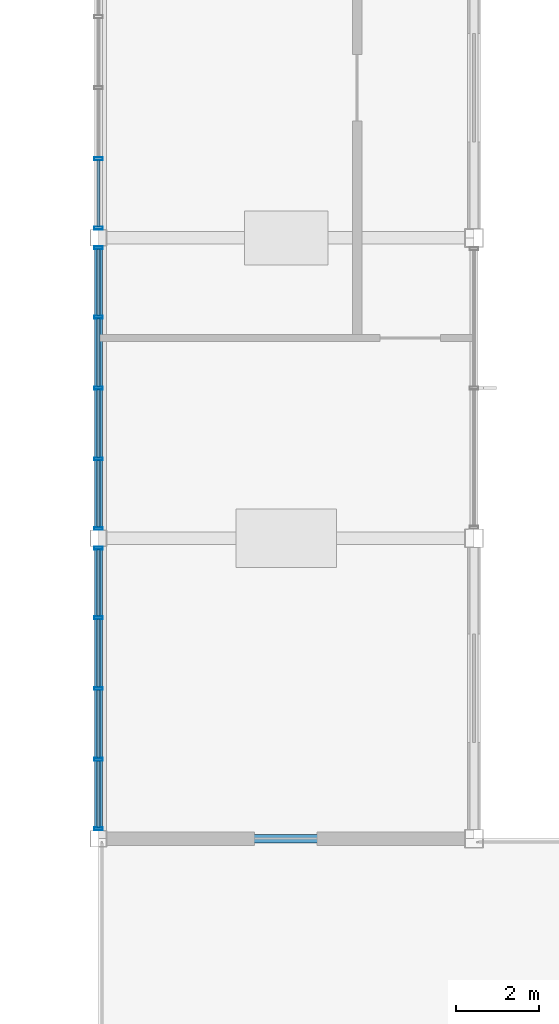
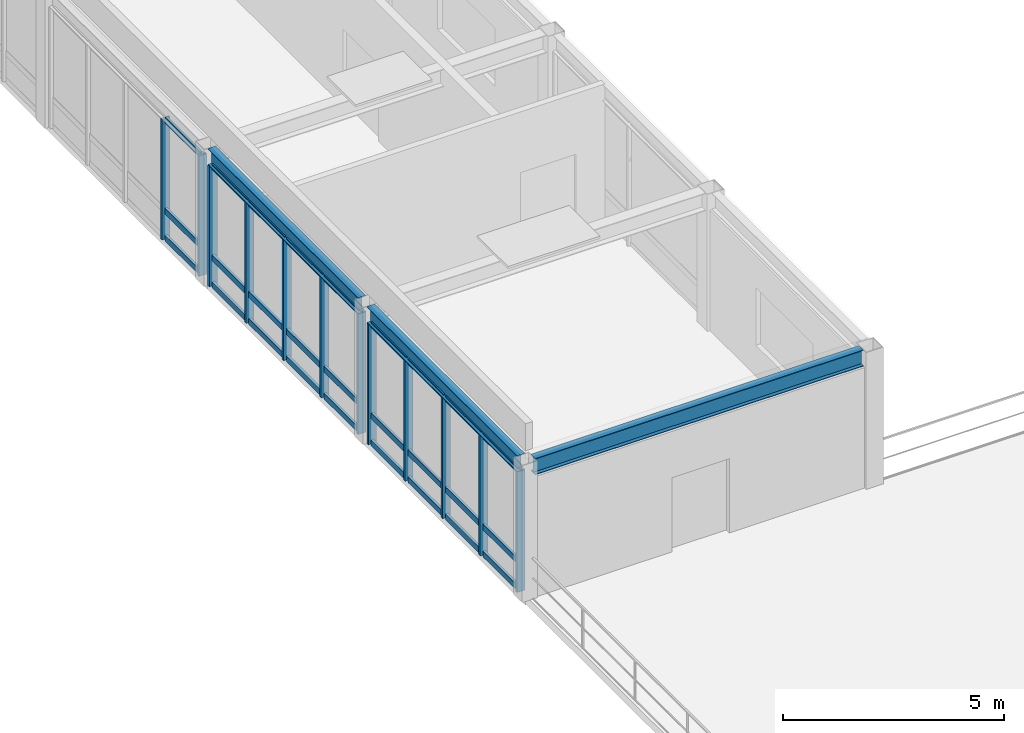
# One storey, part 8 of 106: 39 members, 3 beams, 3 elements without a shape of their own.
"""IFC4 building model written with IfcOpenShell, lengths in metres."""

from ifc_helpers import new_model, si_unit, direction, frame, origin, origin_2d, place, context, subcontext, project, spatial, hollow_rectangle, i_section, extrude, material, material_profile, profile_set, type_object, element, aggregate, save


model = new_model("IFC4")

# Units and contexts
model_context = context("Model", 3, precision=1e-05, world=origin(), true_north=direction((0.0, 1.0)))
body_context = subcontext(model_context, "Body", "Model", "MODEL_VIEW")
ifc_project = project(units=[si_unit("LENGTHUNIT", "METRE"), si_unit("AREAUNIT", "SQUARE_METRE"), si_unit("VOLUMEUNIT", "CUBIC_METRE"), si_unit("PLANEANGLEUNIT", "RADIAN"), si_unit("MASSUNIT", "GRAM", prefix="KILO")], contexts=[model_context])

# Site, building, storey
site_placement = place(None, origin())
site = spatial("IfcSite", under=ifc_project, at=site_placement, CompositionType="ELEMENT")
building_placement = place(site_placement, origin())
building = spatial("IfcBuilding", under=site, at=building_placement, Name="Kazanami Central Library", CompositionType="ELEMENT")
storey_placement = place(building_placement, frame((0.0, 0.0, 12.800048828125)))
storey = spatial("IfcBuildingStorey", under=building, at=storey_placement, Name="L04", CompositionType="ELEMENT", Elevation=12.800048828125)

# Beams
ifc_material_1 = material(Name="Steel SN490B (325 MPa)", Category="steel")
ifc_material_profile_1 = material_profile(ifc_material_1, i_section(OverallWidth=0.199951171875, OverallDepth=0.449951171875, WebThickness=0.009033203125, FlangeThickness=0.013916015625, at=origin_2d()), Name="H-450x200x9x14")
ifc_profile_set_1 = profile_set([ifc_material_profile_1], Name="Steel SN490B (325 MPa)")
beam_type = type_object("IfcBeamType", Name="BM-SP-2", PredefinedType="SPANDREL", material=ifc_profile_set_1)
beam_placement = place(storey_placement, frame((45.197998046875, 36.0, 3.554931640625), z_axis=(1.0, 0.0, 0.0), x_axis=(0.0, 1.0, 0.0)))
element("IfcBeam", 1, at=beam_placement, inside=storey, type_object=beam_type, Name="Girder SP-2 L04 F/6-7", PredefinedType="SPANDREL", context=body_context, shape_type="SweptSolid", body=[
    extrude(i_section(OverallWidth=0.199951171875, OverallDepth=0.449951171875, WebThickness=0.009033203125, FlangeThickness=0.013916015625, at=origin_2d()), origin(), (0.0, 0.0, 1.0), 8.5791015625),
])
for number, where, z_axis, x_axis, name in (
    (2, (45.0, 36.197998046875, 3.554931640625), (0.0, 1.0, 0.0), (-1.0, 0.0, 0.0), "Girder SP-2 L04 6/F-G"),
    (3, (45.0, 43.39794921875, 3.554931640625), (0.0, 1.0, 0.0), (-1.0, 0.0, 0.0), "Girder SP-2 L04 6/G-H"),
):
    element("IfcBeam", number, at=place(storey_placement, frame(where, z_axis=z_axis, x_axis=x_axis)), inside=storey, type_object=beam_type, Name=name, PredefinedType="SPANDREL", context=body_context, shape_type="SweptSolid", body=[
        extrude(i_section(OverallWidth=0.199951171875, OverallDepth=0.449951171875, WebThickness=0.009033203125, FlangeThickness=0.013916015625, at=origin_2d()), origin(), (0.0, 0.0, 1.0), 6.803955078125),
    ])

# Curtain wall, members
ifc_material_2 = material(Name="Acid-Etched Low-E Laminated Glass", Category="glass")
curtain_wall_type = type_object("IfcCurtainWallType", Name="CW-6800x3330-M180", PredefinedType="USERDEFINED", material=ifc_material_2)
curtain_wall_1_placement = place(storey_placement, origin())
curtain_wall_1 = element("IfcCurtainWall", 4, at=curtain_wall_1_placement, inside=storey, type_object=curtain_wall_type, Name="Covered Link Bridge Curtain Wall CW-44 L04 W-6-05", ObjectType="UNITISED CURTAIN WALL", PredefinedType="USERDEFINED")
ifc_material_3 = material(Name="Anodised Aluminium A6063-T5", Category="aluminium")
ifc_material_profile_2 = material_profile(ifc_material_3, hollow_rectangle(XDim=0.070068359375, YDim=0.2099609375, WallThickness=0.0048828125, at=origin_2d()), Name="ALU-MULL-70x210x5")
ifc_profile_set_2 = profile_set([ifc_material_profile_2], Name="Anodised Aluminium A6063-T5")
member_type_1 = type_object("IfcMemberType", Name="MEM-CW-M1", PredefinedType="MULLION", material=ifc_profile_set_2)
member_1_placement = place(storey_placement, frame((45.0, 36.235107421875, 0.0), z_axis=(0.0, 0.0, 1.0), x_axis=(0.0, 1.0, 0.0)))
member_1 = element("IfcMember", 5, at=member_1_placement, type_object=member_type_1, Name="CW-44 mullion 1", PredefinedType="MULLION", context=body_context, shape_type="SweptSolid", body=[
    extrude(hollow_rectangle(XDim=0.070068359375, YDim=0.2099609375, WallThickness=0.0048828125, at=origin_2d()), origin(), (0.0, 0.0, 1.0), 3.329833984375),
])
member_2_placement = place(storey_placement, frame((45.0, 37.89990234375, 0.0), z_axis=(0.0, 0.0, 1.0), x_axis=(0.0, 1.0, 0.0)))
member_2 = element("IfcMember", 6, at=member_2_placement, type_object=member_type_1, Name="CW-44 mullion 2", PredefinedType="MULLION", context=body_context, shape_type="SweptSolid", body=[
    extrude(hollow_rectangle(XDim=0.070068359375, YDim=0.2099609375, WallThickness=0.0048828125, at=origin_2d()), origin(), (0.0, 0.0, 1.0), 3.329833984375),
])
member_3_placement = place(storey_placement, frame((45.0, 39.60009765625, 0.0), z_axis=(0.0, 0.0, 1.0), x_axis=(0.0, 1.0, 0.0)))
member_3 = element("IfcMember", 7, at=member_3_placement, type_object=member_type_1, Name="CW-44 mullion 3", PredefinedType="MULLION", context=body_context, shape_type="SweptSolid", body=[
    extrude(hollow_rectangle(XDim=0.070068359375, YDim=0.2099609375, WallThickness=0.0048828125, at=origin_2d()), origin(), (0.0, 0.0, 1.0), 3.329833984375),
])
member_4_placement = place(storey_placement, frame((45.0, 41.300048828125, 0.0), z_axis=(0.0, 0.0, 1.0), x_axis=(0.0, 1.0, 0.0)))
member_4 = element("IfcMember", 8, at=member_4_placement, type_object=member_type_1, Name="CW-44 mullion 4", PredefinedType="MULLION", context=body_context, shape_type="SweptSolid", body=[
    extrude(hollow_rectangle(XDim=0.070068359375, YDim=0.2099609375, WallThickness=0.0048828125, at=origin_2d()), origin(), (0.0, 0.0, 1.0), 3.329833984375),
])
member_5_placement = place(storey_placement, frame((45.0, 42.965087890625, 0.0), z_axis=(0.0, 0.0, 1.0), x_axis=(0.0, 1.0, 0.0)))
member_5 = element("IfcMember", 9, at=member_5_placement, type_object=member_type_1, Name="CW-44 mullion 5", PredefinedType="MULLION", context=body_context, shape_type="SweptSolid", body=[
    extrude(hollow_rectangle(XDim=0.070068359375, YDim=0.2099609375, WallThickness=0.0048828125, at=origin_2d()), origin(), (0.0, 0.0, 1.0), 3.329833984375),
])

curtain_wall_2_placement = place(storey_placement, origin())
curtain_wall_2 = element("IfcCurtainWall", 10, at=curtain_wall_2_placement, inside=storey, type_object=curtain_wall_type, Name="Covered Link Bridge Curtain Wall CW-44 L04 W-6-06", ObjectType="UNITISED CURTAIN WALL", PredefinedType="USERDEFINED")
member_6_placement = place(storey_placement, frame((45.0, 43.43505859375, 0.0), z_axis=(0.0, 0.0, 1.0), x_axis=(0.0, 1.0, 0.0)))
member_6 = element("IfcMember", 11, at=member_6_placement, type_object=member_type_1, Name="CW-44 mullion 1", PredefinedType="MULLION", context=body_context, shape_type="SweptSolid", body=[
    extrude(hollow_rectangle(XDim=0.070068359375, YDim=0.2099609375, WallThickness=0.0048828125, at=origin_2d()), origin(), (0.0, 0.0, 1.0), 3.329833984375),
])
member_7_placement = place(storey_placement, frame((45.0, 45.10009765625, 0.0), z_axis=(0.0, 0.0, 1.0), x_axis=(0.0, 1.0, 0.0)))
member_7 = element("IfcMember", 12, at=member_7_placement, type_object=member_type_1, Name="CW-44 mullion 2", PredefinedType="MULLION", context=body_context, shape_type="SweptSolid", body=[
    extrude(hollow_rectangle(XDim=0.070068359375, YDim=0.2099609375, WallThickness=0.0048828125, at=origin_2d()), origin(), (0.0, 0.0, 1.0), 3.329833984375),
])
member_8_placement = place(storey_placement, frame((45.0, 46.800048828125, 0.0), z_axis=(0.0, 0.0, 1.0), x_axis=(0.0, 1.0, 0.0)))
member_8 = element("IfcMember", 13, at=member_8_placement, type_object=member_type_1, Name="CW-44 mullion 3", PredefinedType="MULLION", context=body_context, shape_type="SweptSolid", body=[
    extrude(hollow_rectangle(XDim=0.070068359375, YDim=0.2099609375, WallThickness=0.0048828125, at=origin_2d()), origin(), (0.0, 0.0, 1.0), 3.329833984375),
])
member_9_placement = place(storey_placement, frame((45.0, 48.5, 0.0), z_axis=(0.0, 0.0, 1.0), x_axis=(0.0, 1.0, 0.0)))
member_9 = element("IfcMember", 14, at=member_9_placement, type_object=member_type_1, Name="CW-44 mullion 4", PredefinedType="MULLION", context=body_context, shape_type="SweptSolid", body=[
    extrude(hollow_rectangle(XDim=0.070068359375, YDim=0.2099609375, WallThickness=0.0048828125, at=origin_2d()), origin(), (0.0, 0.0, 1.0), 3.329833984375),
])
member_10_placement = place(storey_placement, frame((45.0, 50.1650390625, 0.0), z_axis=(0.0, 0.0, 1.0), x_axis=(0.0, 1.0, 0.0)))
member_10 = element("IfcMember", 15, at=member_10_placement, type_object=member_type_1, Name="CW-44 mullion 5", PredefinedType="MULLION", context=body_context, shape_type="SweptSolid", body=[
    extrude(hollow_rectangle(XDim=0.070068359375, YDim=0.2099609375, WallThickness=0.0048828125, at=origin_2d()), origin(), (0.0, 0.0, 1.0), 3.329833984375),
])

curtain_wall_3_placement = place(storey_placement, origin())
curtain_wall_3 = element("IfcCurtainWall", 16, at=curtain_wall_3_placement, inside=storey, type_object=curtain_wall_type, Name="Covered Link Bridge Curtain Wall CW-44 L04 W-6-07", ObjectType="UNITISED CURTAIN WALL", PredefinedType="USERDEFINED")
member_11_placement = place(storey_placement, frame((45.0, 50.635009765625, 0.0), z_axis=(0.0, 0.0, 1.0), x_axis=(0.0, 1.0, 0.0)))
member_11 = element("IfcMember", 17, at=member_11_placement, type_object=member_type_1, Name="CW-44 mullion 1", PredefinedType="MULLION", context=body_context, shape_type="SweptSolid", body=[
    extrude(hollow_rectangle(XDim=0.070068359375, YDim=0.2099609375, WallThickness=0.0048828125, at=origin_2d()), origin(), (0.0, 0.0, 1.0), 3.329833984375),
])
member_12_placement = place(storey_placement, frame((45.0, 52.300048828125, 0.0), z_axis=(0.0, 0.0, 1.0), x_axis=(0.0, 1.0, 0.0)))
member_12 = element("IfcMember", 18, at=member_12_placement, type_object=member_type_1, Name="CW-44 mullion 2", PredefinedType="MULLION", context=body_context, shape_type="SweptSolid", body=[
    extrude(hollow_rectangle(XDim=0.070068359375, YDim=0.2099609375, WallThickness=0.0048828125, at=origin_2d()), origin(), (0.0, 0.0, 1.0), 3.329833984375),
])

# Member
ifc_material_profile_3 = material_profile(ifc_material_3, hollow_rectangle(XDim=0.070068359375, YDim=0.159912109375, WallThickness=0.00390625, at=origin_2d()), Name="ALU-TRAN-70x160x4")
ifc_profile_set_3 = profile_set([ifc_material_profile_3], Name="Anodised Aluminium A6063-T5")
member_type_2 = type_object("IfcMemberType", Name="MEM-CW-T1", PredefinedType="USERDEFINED", material=ifc_profile_set_3)
member_13_placement = place(storey_placement, frame((45.0, 36.27001953125, 0.034912109375), z_axis=(0.0, 1.0, 0.0), x_axis=(-1.0, 0.0, 0.0)))
member_13 = element("IfcMember", 19, at=member_13_placement, type_object=member_type_2, Name="CW-44 transom 1.1", ObjectType="TRANSOM", PredefinedType="USERDEFINED", context=body_context, shape_type="SweptSolid", body=[
    extrude(hollow_rectangle(XDim=0.070068359375, YDim=0.159912109375, WallThickness=0.00390625, at=origin_2d()), origin(), (0.0, 0.0, 1.0), 1.594970703125),
])

member_14_placement = place(storey_placement, frame((45.0, 36.27001953125, 0.780029296875), z_axis=(0.0, 1.0, 0.0), x_axis=(-1.0, 0.0, 0.0)))
member_14 = element("IfcMember", 20, at=member_14_placement, type_object=member_type_2, Name="CW-44 transom 1.2", ObjectType="TRANSOM", PredefinedType="USERDEFINED", context=body_context, shape_type="SweptSolid", body=[
    extrude(hollow_rectangle(XDim=0.070068359375, YDim=0.159912109375, WallThickness=0.00390625, at=origin_2d()), origin(), (0.0, 0.0, 1.0), 1.594970703125),
])

member_15_placement = place(storey_placement, frame((45.0, 36.27001953125, 3.294921875), z_axis=(0.0, 1.0, 0.0), x_axis=(-1.0, 0.0, 0.0)))
member_15 = element("IfcMember", 21, at=member_15_placement, type_object=member_type_2, Name="CW-44 transom 1.3", ObjectType="TRANSOM", PredefinedType="USERDEFINED", context=body_context, shape_type="SweptSolid", body=[
    extrude(hollow_rectangle(XDim=0.070068359375, YDim=0.159912109375, WallThickness=0.00390625, at=origin_2d()), origin(), (0.0, 0.0, 1.0), 1.594970703125),
])

member_16_placement = place(storey_placement, frame((45.0, 37.93505859375, 0.034912109375), z_axis=(0.0, 1.0, 0.0), x_axis=(-1.0, 0.0, 0.0)))
member_16 = element("IfcMember", 22, at=member_16_placement, type_object=member_type_2, Name="CW-44 transom 2.1", ObjectType="TRANSOM", PredefinedType="USERDEFINED", context=body_context, shape_type="SweptSolid", body=[
    extrude(hollow_rectangle(XDim=0.070068359375, YDim=0.159912109375, WallThickness=0.00390625, at=origin_2d()), origin(), (0.0, 0.0, 1.0), 1.6298828125),
])

member_17_placement = place(storey_placement, frame((45.0, 37.93505859375, 0.780029296875), z_axis=(0.0, 1.0, 0.0), x_axis=(-1.0, 0.0, 0.0)))
member_17 = element("IfcMember", 23, at=member_17_placement, type_object=member_type_2, Name="CW-44 transom 2.2", ObjectType="TRANSOM", PredefinedType="USERDEFINED", context=body_context, shape_type="SweptSolid", body=[
    extrude(hollow_rectangle(XDim=0.070068359375, YDim=0.159912109375, WallThickness=0.00390625, at=origin_2d()), origin(), (0.0, 0.0, 1.0), 1.6298828125),
])

member_18_placement = place(storey_placement, frame((45.0, 37.93505859375, 3.294921875), z_axis=(0.0, 1.0, 0.0), x_axis=(-1.0, 0.0, 0.0)))
member_18 = element("IfcMember", 24, at=member_18_placement, type_object=member_type_2, Name="CW-44 transom 2.3", ObjectType="TRANSOM", PredefinedType="USERDEFINED", context=body_context, shape_type="SweptSolid", body=[
    extrude(hollow_rectangle(XDim=0.070068359375, YDim=0.159912109375, WallThickness=0.00390625, at=origin_2d()), origin(), (0.0, 0.0, 1.0), 1.6298828125),
])

member_19_placement = place(storey_placement, frame((45.0, 39.635009765625, 0.034912109375), z_axis=(0.0, 1.0, 0.0), x_axis=(-1.0, 0.0, 0.0)))
member_19 = element("IfcMember", 25, at=member_19_placement, type_object=member_type_2, Name="CW-44 transom 3.1", ObjectType="TRANSOM", PredefinedType="USERDEFINED", context=body_context, shape_type="SweptSolid", body=[
    extrude(hollow_rectangle(XDim=0.070068359375, YDim=0.159912109375, WallThickness=0.00390625, at=origin_2d()), origin(), (0.0, 0.0, 1.0), 1.6298828125),
])

member_20_placement = place(storey_placement, frame((45.0, 39.635009765625, 0.780029296875), z_axis=(0.0, 1.0, 0.0), x_axis=(-1.0, 0.0, 0.0)))
member_20 = element("IfcMember", 26, at=member_20_placement, type_object=member_type_2, Name="CW-44 transom 3.2", ObjectType="TRANSOM", PredefinedType="USERDEFINED", context=body_context, shape_type="SweptSolid", body=[
    extrude(hollow_rectangle(XDim=0.070068359375, YDim=0.159912109375, WallThickness=0.00390625, at=origin_2d()), origin(), (0.0, 0.0, 1.0), 1.6298828125),
])

member_21_placement = place(storey_placement, frame((45.0, 39.635009765625, 3.294921875), z_axis=(0.0, 1.0, 0.0), x_axis=(-1.0, 0.0, 0.0)))
member_21 = element("IfcMember", 27, at=member_21_placement, type_object=member_type_2, Name="CW-44 transom 3.3", ObjectType="TRANSOM", PredefinedType="USERDEFINED", context=body_context, shape_type="SweptSolid", body=[
    extrude(hollow_rectangle(XDim=0.070068359375, YDim=0.159912109375, WallThickness=0.00390625, at=origin_2d()), origin(), (0.0, 0.0, 1.0), 1.6298828125),
])

member_22_placement = place(storey_placement, frame((45.0, 41.3349609375, 0.034912109375), z_axis=(0.0, 1.0, 0.0), x_axis=(-1.0, 0.0, 0.0)))
member_22 = element("IfcMember", 28, at=member_22_placement, type_object=member_type_2, Name="CW-44 transom 4.1", ObjectType="TRANSOM", PredefinedType="USERDEFINED", context=body_context, shape_type="SweptSolid", body=[
    extrude(hollow_rectangle(XDim=0.070068359375, YDim=0.159912109375, WallThickness=0.00390625, at=origin_2d()), origin(), (0.0, 0.0, 1.0), 1.594970703125),
])

member_23_placement = place(storey_placement, frame((45.0, 41.3349609375, 0.780029296875), z_axis=(0.0, 1.0, 0.0), x_axis=(-1.0, 0.0, 0.0)))
member_23 = element("IfcMember", 29, at=member_23_placement, type_object=member_type_2, Name="CW-44 transom 4.2", ObjectType="TRANSOM", PredefinedType="USERDEFINED", context=body_context, shape_type="SweptSolid", body=[
    extrude(hollow_rectangle(XDim=0.070068359375, YDim=0.159912109375, WallThickness=0.00390625, at=origin_2d()), origin(), (0.0, 0.0, 1.0), 1.594970703125),
])

member_24_placement = place(storey_placement, frame((45.0, 41.3349609375, 3.294921875), z_axis=(0.0, 1.0, 0.0), x_axis=(-1.0, 0.0, 0.0)))
member_24 = element("IfcMember", 30, at=member_24_placement, type_object=member_type_2, Name="CW-44 transom 4.3", ObjectType="TRANSOM", PredefinedType="USERDEFINED", context=body_context, shape_type="SweptSolid", body=[
    extrude(hollow_rectangle(XDim=0.070068359375, YDim=0.159912109375, WallThickness=0.00390625, at=origin_2d()), origin(), (0.0, 0.0, 1.0), 1.594970703125),
])

aggregate(curtain_wall_1, [member_1, member_2, member_3, member_4, member_5, member_13, member_14, member_15, member_16, member_17, member_18, member_19, member_20, member_21, member_22, member_23, member_24])

member_25_placement = place(storey_placement, frame((45.0, 43.469970703125, 0.034912109375), z_axis=(0.0, 1.0, 0.0), x_axis=(-1.0, 0.0, 0.0)))
member_25 = element("IfcMember", 31, at=member_25_placement, type_object=member_type_2, Name="CW-44 transom 1.1", ObjectType="TRANSOM", PredefinedType="USERDEFINED", context=body_context, shape_type="SweptSolid", body=[
    extrude(hollow_rectangle(XDim=0.070068359375, YDim=0.159912109375, WallThickness=0.00390625, at=origin_2d()), origin(), (0.0, 0.0, 1.0), 1.594970703125),
])

member_26_placement = place(storey_placement, frame((45.0, 43.469970703125, 0.780029296875), z_axis=(0.0, 1.0, 0.0), x_axis=(-1.0, 0.0, 0.0)))
member_26 = element("IfcMember", 32, at=member_26_placement, type_object=member_type_2, Name="CW-44 transom 1.2", ObjectType="TRANSOM", PredefinedType="USERDEFINED", context=body_context, shape_type="SweptSolid", body=[
    extrude(hollow_rectangle(XDim=0.070068359375, YDim=0.159912109375, WallThickness=0.00390625, at=origin_2d()), origin(), (0.0, 0.0, 1.0), 1.594970703125),
])

member_27_placement = place(storey_placement, frame((45.0, 43.469970703125, 3.294921875), z_axis=(0.0, 1.0, 0.0), x_axis=(-1.0, 0.0, 0.0)))
member_27 = element("IfcMember", 33, at=member_27_placement, type_object=member_type_2, Name="CW-44 transom 1.3", ObjectType="TRANSOM", PredefinedType="USERDEFINED", context=body_context, shape_type="SweptSolid", body=[
    extrude(hollow_rectangle(XDim=0.070068359375, YDim=0.159912109375, WallThickness=0.00390625, at=origin_2d()), origin(), (0.0, 0.0, 1.0), 1.594970703125),
])

member_28_placement = place(storey_placement, frame((45.0, 45.135009765625, 0.034912109375), z_axis=(0.0, 1.0, 0.0), x_axis=(-1.0, 0.0, 0.0)))
member_28 = element("IfcMember", 34, at=member_28_placement, type_object=member_type_2, Name="CW-44 transom 2.1", ObjectType="TRANSOM", PredefinedType="USERDEFINED", context=body_context, shape_type="SweptSolid", body=[
    extrude(hollow_rectangle(XDim=0.070068359375, YDim=0.159912109375, WallThickness=0.00390625, at=origin_2d()), origin(), (0.0, 0.0, 1.0), 1.6298828125),
])

member_29_placement = place(storey_placement, frame((45.0, 45.135009765625, 0.780029296875), z_axis=(0.0, 1.0, 0.0), x_axis=(-1.0, 0.0, 0.0)))
member_29 = element("IfcMember", 35, at=member_29_placement, type_object=member_type_2, Name="CW-44 transom 2.2", ObjectType="TRANSOM", PredefinedType="USERDEFINED", context=body_context, shape_type="SweptSolid", body=[
    extrude(hollow_rectangle(XDim=0.070068359375, YDim=0.159912109375, WallThickness=0.00390625, at=origin_2d()), origin(), (0.0, 0.0, 1.0), 1.6298828125),
])

member_30_placement = place(storey_placement, frame((45.0, 45.135009765625, 3.294921875), z_axis=(0.0, 1.0, 0.0), x_axis=(-1.0, 0.0, 0.0)))
member_30 = element("IfcMember", 36, at=member_30_placement, type_object=member_type_2, Name="CW-44 transom 2.3", ObjectType="TRANSOM", PredefinedType="USERDEFINED", context=body_context, shape_type="SweptSolid", body=[
    extrude(hollow_rectangle(XDim=0.070068359375, YDim=0.159912109375, WallThickness=0.00390625, at=origin_2d()), origin(), (0.0, 0.0, 1.0), 1.6298828125),
])

member_31_placement = place(storey_placement, frame((45.0, 46.8349609375, 0.034912109375), z_axis=(0.0, 1.0, 0.0), x_axis=(-1.0, 0.0, 0.0)))
member_31 = element("IfcMember", 37, at=member_31_placement, type_object=member_type_2, Name="CW-44 transom 3.1", ObjectType="TRANSOM", PredefinedType="USERDEFINED", context=body_context, shape_type="SweptSolid", body=[
    extrude(hollow_rectangle(XDim=0.070068359375, YDim=0.159912109375, WallThickness=0.00390625, at=origin_2d()), origin(), (0.0, 0.0, 1.0), 1.630126953125),
])

member_32_placement = place(storey_placement, frame((45.0, 46.8349609375, 0.780029296875), z_axis=(0.0, 1.0, 0.0), x_axis=(-1.0, 0.0, 0.0)))
member_32 = element("IfcMember", 38, at=member_32_placement, type_object=member_type_2, Name="CW-44 transom 3.2", ObjectType="TRANSOM", PredefinedType="USERDEFINED", context=body_context, shape_type="SweptSolid", body=[
    extrude(hollow_rectangle(XDim=0.070068359375, YDim=0.159912109375, WallThickness=0.00390625, at=origin_2d()), origin(), (0.0, 0.0, 1.0), 1.630126953125),
])

member_33_placement = place(storey_placement, frame((45.0, 46.8349609375, 3.294921875), z_axis=(0.0, 1.0, 0.0), x_axis=(-1.0, 0.0, 0.0)))
member_33 = element("IfcMember", 39, at=member_33_placement, type_object=member_type_2, Name="CW-44 transom 3.3", ObjectType="TRANSOM", PredefinedType="USERDEFINED", context=body_context, shape_type="SweptSolid", body=[
    extrude(hollow_rectangle(XDim=0.070068359375, YDim=0.159912109375, WallThickness=0.00390625, at=origin_2d()), origin(), (0.0, 0.0, 1.0), 1.630126953125),
])

member_34_placement = place(storey_placement, frame((45.0, 48.534912109375, 0.034912109375), z_axis=(0.0, 1.0, 0.0), x_axis=(-1.0, 0.0, 0.0)))
member_34 = element("IfcMember", 40, at=member_34_placement, type_object=member_type_2, Name="CW-44 transom 4.1", ObjectType="TRANSOM", PredefinedType="USERDEFINED", context=body_context, shape_type="SweptSolid", body=[
    extrude(hollow_rectangle(XDim=0.070068359375, YDim=0.159912109375, WallThickness=0.00390625, at=origin_2d()), origin(), (0.0, 0.0, 1.0), 1.594970703125),
])

member_35_placement = place(storey_placement, frame((45.0, 48.534912109375, 0.780029296875), z_axis=(0.0, 1.0, 0.0), x_axis=(-1.0, 0.0, 0.0)))
member_35 = element("IfcMember", 41, at=member_35_placement, type_object=member_type_2, Name="CW-44 transom 4.2", ObjectType="TRANSOM", PredefinedType="USERDEFINED", context=body_context, shape_type="SweptSolid", body=[
    extrude(hollow_rectangle(XDim=0.070068359375, YDim=0.159912109375, WallThickness=0.00390625, at=origin_2d()), origin(), (0.0, 0.0, 1.0), 1.594970703125),
])

member_36_placement = place(storey_placement, frame((45.0, 48.534912109375, 3.294921875), z_axis=(0.0, 1.0, 0.0), x_axis=(-1.0, 0.0, 0.0)))
member_36 = element("IfcMember", 42, at=member_36_placement, type_object=member_type_2, Name="CW-44 transom 4.3", ObjectType="TRANSOM", PredefinedType="USERDEFINED", context=body_context, shape_type="SweptSolid", body=[
    extrude(hollow_rectangle(XDim=0.070068359375, YDim=0.159912109375, WallThickness=0.00390625, at=origin_2d()), origin(), (0.0, 0.0, 1.0), 1.594970703125),
])

aggregate(curtain_wall_2, [member_6, member_7, member_8, member_9, member_10, member_25, member_26, member_27, member_28, member_29, member_30, member_31, member_32, member_33, member_34, member_35, member_36])

member_37_placement = place(storey_placement, frame((45.0, 50.669921875, 0.034912109375), z_axis=(0.0, 1.0, 0.0), x_axis=(-1.0, 0.0, 0.0)))
member_37 = element("IfcMember", 43, at=member_37_placement, type_object=member_type_2, Name="CW-44 transom 1.1", ObjectType="TRANSOM", PredefinedType="USERDEFINED", context=body_context, shape_type="SweptSolid", body=[
    extrude(hollow_rectangle(XDim=0.070068359375, YDim=0.159912109375, WallThickness=0.00390625, at=origin_2d()), origin(), (0.0, 0.0, 1.0), 1.594970703125),
])

member_38_placement = place(storey_placement, frame((45.0, 50.669921875, 0.780029296875), z_axis=(0.0, 1.0, 0.0), x_axis=(-1.0, 0.0, 0.0)))
member_38 = element("IfcMember", 44, at=member_38_placement, type_object=member_type_2, Name="CW-44 transom 1.2", ObjectType="TRANSOM", PredefinedType="USERDEFINED", context=body_context, shape_type="SweptSolid", body=[
    extrude(hollow_rectangle(XDim=0.070068359375, YDim=0.159912109375, WallThickness=0.00390625, at=origin_2d()), origin(), (0.0, 0.0, 1.0), 1.594970703125),
])

member_39_placement = place(storey_placement, frame((45.0, 50.669921875, 3.294921875), z_axis=(0.0, 1.0, 0.0), x_axis=(-1.0, 0.0, 0.0)))
member_39 = element("IfcMember", 45, at=member_39_placement, type_object=member_type_2, Name="CW-44 transom 1.3", ObjectType="TRANSOM", PredefinedType="USERDEFINED", context=body_context, shape_type="SweptSolid", body=[
    extrude(hollow_rectangle(XDim=0.070068359375, YDim=0.159912109375, WallThickness=0.00390625, at=origin_2d()), origin(), (0.0, 0.0, 1.0), 1.594970703125),
])

aggregate(curtain_wall_3, [member_11, member_12, member_37, member_38, member_39])

save(model, "model.ifc")
